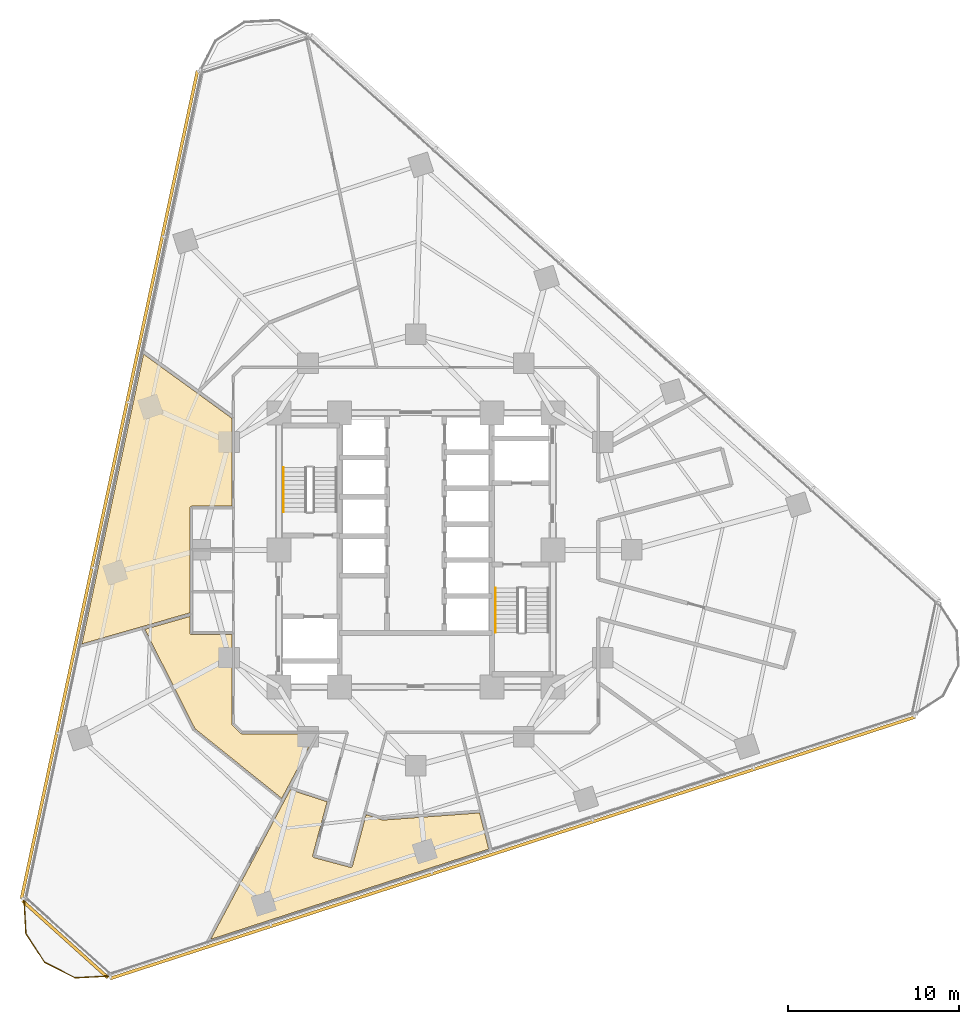
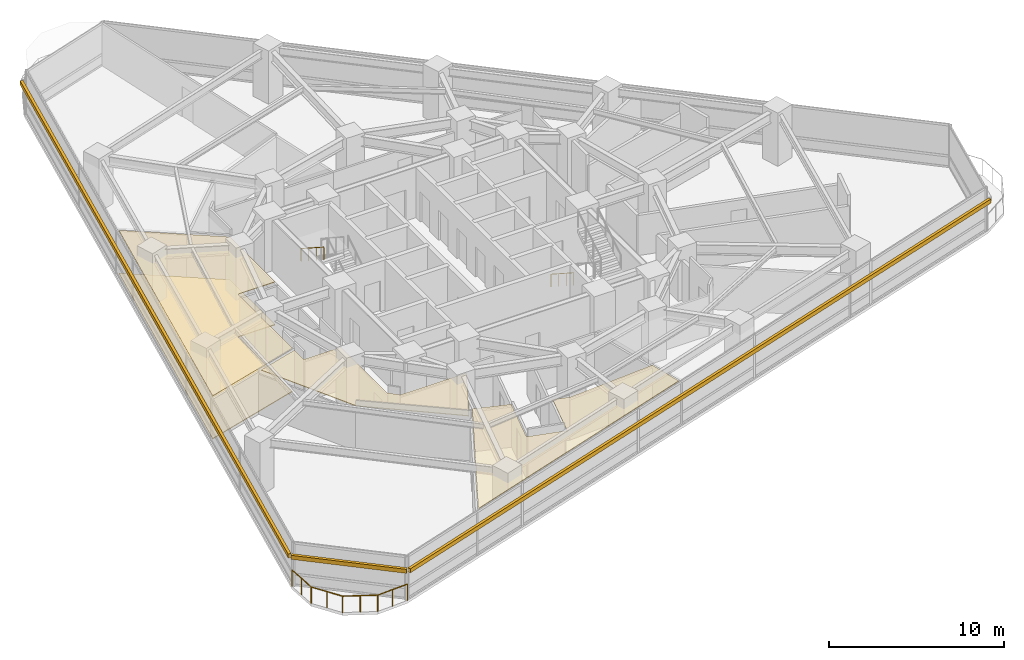
# One storey, part 11 of 13: 4 coverings, 3 railings, 3 shading devices.
"""IFC4 building model written with IfcOpenShell, lengths in metres."""

from ifc_helpers import new_model, si_unit, direction, frame, origin, origin_2d, place, context, subcontext, project, spatial, polyline, rectangle, circle, outline, extrude, material, layer, layer_set, type_object, element, save


model = new_model("IFC4")

# Units and contexts
model_context = context("Model", 3, precision=1e-05, world=origin(), true_north=direction((0.0, 1.0)))
body_context = subcontext(model_context, "Body", "Model", "MODEL_VIEW")
ifc_project = project(units=[si_unit("LENGTHUNIT", "METRE"), si_unit("AREAUNIT", "SQUARE_METRE"), si_unit("VOLUMEUNIT", "CUBIC_METRE"), si_unit("PLANEANGLEUNIT", "RADIAN"), si_unit("MASSUNIT", "GRAM", prefix="KILO")], contexts=[model_context])

# Site, building, storey
site_placement = place(None, origin())
site = spatial("IfcSite", under=ifc_project, at=site_placement, CompositionType="ELEMENT")
building_placement = place(site_placement, origin())
building = spatial("IfcBuilding", under=site, at=building_placement, Name="Terralouvre Media Tower", CompositionType="ELEMENT")
storey_placement = place(building_placement, frame((0.0, 0.0, 94.0)))
storey = spatial("IfcBuildingStorey", under=building, at=storey_placement, Name="L23", CompositionType="ELEMENT", Elevation=94.0)

# Coverings
ifc_material_1 = material(Name="Resilient elastomer acoustic broadcast studio flooring")
ifc_layer_1 = layer(ifc_material_1, 0.050048828125, Name="Broadcast Studio Acoustic Floating Floor FL-AC1")
ifc_layer_set_1 = layer_set([ifc_layer_1], Name="Resilient elastomer acoustic broadcast studio flooring")
covering_type_1 = type_object("IfcCoveringType", Name="Broadcast Studio Acoustic Floating Floor FL-AC1", PredefinedType="FLOORING", material=ifc_layer_set_1)
covering_1_placement = place(storey_placement, frame((0.0, 0.0, 0.0), z_axis=(0.0, 0.0, 1.0), x_axis=(0.951056516295, 0.309016994375, 0.0)))
element("IfcCovering", 1, at=covering_1_placement, inside=storey, type_object=covering_type_1, Name="L23 Documentary Archive Library 11 Acoustic Floating Floor", PredefinedType="FLOORING", context=body_context, shape_type="SweptSolid", body=[
    extrude(outline(polyline([(-13.69140625, 0.578369140625), (-11.796875, 6.4091796875), (-11.79345703125, 6.418212890625), (-11.7890625, 6.427001953125), (-11.78369140625, 6.435302734375), (-11.77783203125, 6.443115234375), (-11.77099609375, 6.4501953125), (-11.763671875, 6.456787109375), (-11.755615234375, 6.46240234375), (-11.7470703125, 6.46728515625), (-11.738037109375, 6.471435546875), (-11.72900390625, 6.474365234375), (-11.71923828125, 6.4765625), (-11.709716796875, 6.47802734375), (-11.69970703125, 6.478271484375), (-11.68994140625, 6.4775390625), (-11.680419921875, 6.475830078125), (-11.6708984375, 6.473388671875), (-9.435791015625, 5.7470703125), (-7.848388671875, 10.6328125), (-9.323486328125, 12.661865234375), (-11.592529296875, 15.785400390625), (-20.23974609375, 0.806884765625), (-16.597900390625, 0.679443359375), (-13.69140625, 0.578369140625)])), origin(), (0.0, 0.0, 1.0), 0.050048828125),
])
ifc_material_2 = material(Name="Perforated aluminium acoustic ceiling baffle", Category="aluminium")
ifc_layer_2 = layer(ifc_material_2, 0.0400390625, Name="Perforated Acoustic Metal Tile Ceiling CL-AC1")
ifc_layer_set_2 = layer_set([ifc_layer_2], Name="Perforated aluminium acoustic ceiling baffle")
covering_type_2 = type_object("IfcCoveringType", Name="Perforated Acoustic Metal Tile Ceiling CL-AC1", PredefinedType="CEILING", material=ifc_layer_set_2)
covering_2_placement = place(storey_placement, frame((0.0, 0.0, 2.97998046875), z_axis=(0.0, 0.0, 1.0), x_axis=(0.951056516295, 0.309016994375, 0.0)))
element("IfcCovering", 2, at=covering_2_placement, inside=storey, type_object=covering_type_2, Name="L23 Grading Client Lounge 3 Acoustic Ceiling", PredefinedType="CEILING", context=body_context, shape_type="SweptSolid", body=[
    extrude(outline(polyline([(-6.701416015625, -14.41650390625), (-6.7109375, -14.41357421875), (-6.719970703125, -14.409912109375), (-6.728515625, -14.4052734375), (-6.73681640625, -14.39990234375), (-7.5390625, -13.8125), (-9.232421875, -16.420654296875), (-9.23828125, -16.428466796875), (-9.24462890625, -16.435791015625), (-9.251953125, -16.442626953125), (-9.259765625, -16.448486328125), (-9.26806640625, -16.45361328125), (-9.27685546875, -16.4580078125), (-9.2861328125, -16.46142578125), (-9.295654296875, -16.4638671875), (-9.30517578125, -16.465576171875), (-9.31494140625, -16.466064453125), (-9.324951171875, -16.4658203125), (-9.33447265625, -16.46435546875), (-9.343994140625, -16.462158203125), (-9.353515625, -16.458984375), (-9.3623046875, -16.454833984375), (-9.370849609375, -16.449951171875), (-11.216064453125, -15.252197265625), (-11.223876953125, -15.246337890625), (-11.231201171875, -15.239990234375), (-11.238037109375, -15.232666015625), (-11.243896484375, -15.224853515625), (-11.2490234375, -15.216552734375), (-11.25341796875, -15.207763671875), (-11.2568359375, -15.198486328125), (-11.25927734375, -15.18896484375), (-11.260986328125, -15.179443359375), (-11.261474609375, -15.169677734375), (-11.26123046875, -15.15966796875), (-11.259765625, -15.150146484375), (-11.257568359375, -15.140625), (-11.25439453125, -15.13134765625), (-11.25048828125, -15.122314453125), (-11.245361328125, -15.11376953125), (-9.4775390625, -12.39013671875), (-11.302001953125, -11.052734375), (-11.880126953125, -11.611083984375), (-18.42578125, -17.93212890625), (-1.354248046875, -17.931884765625), (-1.2021484375, -15.761962890625), (-6.701416015625, -14.41650390625)])), origin(), (0.0, 0.0, 1.0), 0.0400390625),
])
covering_3_placement = place(storey_placement, frame((0.0, 0.0, 2.97998046875), z_axis=(0.0, 0.0, 1.0), x_axis=(0.951056516295, 0.309016994375, 0.0)))
element("IfcCovering", 3, at=covering_3_placement, inside=storey, type_object=covering_type_2, Name="L23 Storyboarding Conference Room 5 Acoustic Ceiling", PredefinedType="CEILING", context=body_context, shape_type="SweptSolid", body=[
    extrude(outline(polyline([(-13.99755859375, -0.656005859375), (-14.00634765625, -0.65185546875), (-14.0146484375, -0.646484375), (-14.0224609375, -0.640625), (-14.029541015625, -0.6337890625), (-14.0361328125, -0.62646484375), (-14.041748046875, -0.618408203125), (-14.046630859375, -0.60986328125), (-14.05078125, -0.600830078125), (-14.0537109375, -0.591796875), (-14.055908203125, -0.58203125), (-14.057373046875, -0.572265625), (-14.0576171875, -0.5625), (-14.056884765625, -0.552734375), (-14.05517578125, -0.54296875), (-14.052734375, -0.53369140625), (-13.755615234375, 0.380615234375), (-16.484130859375, 0.475341796875), (-15.4951171875, -5.948486328125), (-11.93212890625, -11.38330078125), (-11.380126953125, -10.850341796875), (-8.865966796875, -8.42236328125), (-12.97509765625, -7.08740234375), (-12.984375, -7.083740234375), (-12.9931640625, -7.07958984375), (-13.00146484375, -7.07421875), (-13.00927734375, -7.068359375), (-13.016357421875, -7.0615234375), (-13.022705078125, -7.05419921875), (-13.0283203125, -7.046142578125), (-13.033447265625, -7.03759765625), (-13.354248046875, -6.407470703125), (-13.3583984375, -6.398681640625), (-13.361572265625, -6.389404296875), (-13.36376953125, -6.379638671875), (-13.364990234375, -6.3701171875), (-13.365234375, -6.360107421875), (-13.364501953125, -6.350341796875), (-13.363037109375, -6.3408203125), (-13.3603515625, -6.331298828125), (-11.75341796875, -1.3857421875), (-13.988525390625, -0.65966796875), (-13.99755859375, -0.656005859375)])), origin(), (0.0, 0.0, 1.0), 0.0400390625),
])
covering_4_placement = place(storey_placement, frame((0.0, 0.0, 2.97998046875), z_axis=(0.0, 0.0, 1.0), x_axis=(0.951056516295, 0.309016994375, 0.0)))
element("IfcCovering", 4, at=covering_4_placement, inside=storey, type_object=covering_type_2, Name="L23 Documentary Archive Library 11 Acoustic Ceiling", PredefinedType="CEILING", context=body_context, shape_type="SweptSolid", body=[
    extrude(outline(polyline([(-13.69140625, 0.578369140625), (-11.796875, 6.4091796875), (-11.79345703125, 6.418212890625), (-11.7890625, 6.427001953125), (-11.78369140625, 6.435302734375), (-11.77783203125, 6.443115234375), (-11.77099609375, 6.4501953125), (-11.763671875, 6.456787109375), (-11.755615234375, 6.46240234375), (-11.7470703125, 6.46728515625), (-11.738037109375, 6.471435546875), (-11.72900390625, 6.474365234375), (-11.71923828125, 6.4765625), (-11.709716796875, 6.47802734375), (-11.69970703125, 6.478271484375), (-11.68994140625, 6.4775390625), (-11.680419921875, 6.475830078125), (-11.6708984375, 6.473388671875), (-9.435791015625, 5.7470703125), (-7.848388671875, 10.6328125), (-9.323486328125, 12.661865234375), (-11.592529296875, 15.785400390625), (-20.23974609375, 0.806884765625), (-16.597900390625, 0.679443359375), (-13.69140625, 0.578369140625)])), origin(), (0.0, 0.0, 1.0), 0.0400390625),
])

# Railings
ifc_material_3 = material(Name="Stainless steel 316 handrail and balustrade", Category="steel")
ifc_layer_3 = layer(ifc_material_3, 0.06005859375, Name="Roof Edge Safety Guardrail GR-ROOF1")
ifc_layer_set_3 = layer_set([ifc_layer_3], Name="Stainless steel 316 handrail and balustrade")
railing_type_1 = type_object("IfcRailingType", Name="Roof Edge Safety Guardrail GR-ROOF1", PredefinedType="GUARDRAIL", material=ifc_layer_set_3)
railing_placement = place(storey_placement, frame((-22.8837890625, -20.395751953125, 0.0)))
element("IfcRailing", 5, at=railing_placement, inside=storey, type_object=railing_type_1, Name="L23 Wind-Corner Perimeter Safety Guardrail C0", PredefinedType="GUARDRAIL", context=body_context, shape_type="SweptSolid", body=[
    extrude(circle(Radius=0.02099609375, at=origin_2d()), frame((0.0, 0.0, 1.12890625), z_axis=(0.05204188706, -0.998644902851, 0.0), x_axis=(0.998644902851, 0.05204188706, 0.0)), (0.0, 0.0, 1.0), 2.0078125),
    extrude(circle(Radius=0.02099609375, at=origin_2d()), frame((0.1044921875, -2.005126953125, 1.12890625), z_axis=(0.544556562485, -0.838724120468, 0.0), x_axis=(0.838724120468, 0.544556562485, 0.0)), (0.0, 0.0, 1.0), 2.007568359375),
    extrude(circle(Radius=0.02099609375, at=origin_2d()), frame((1.19775390625, -3.68896484375, 1.12890625), z_axis=(0.891070121909, -0.453865660566, 0.0), x_axis=(0.453865660566, 0.891070121909, 0.0)), (0.0, 0.0, 1.0), 2.007568359375),
    extrude(circle(Radius=0.02099609375, at=origin_2d()), frame((2.986572265625, -4.60009765625, 1.12890625), z_axis=(0.998619508244, 0.052526924091, 0.0), x_axis=(-0.052526924091, 0.998619508244, 0.0)), (0.0, 0.0, 1.0), 2.0078125),
    extrude(circle(Radius=0.01904296875, at=origin_2d()), origin(), (0.0, 0.0, 1.0), 1.10791015625),
    extrude(circle(Radius=0.01904296875, at=origin_2d()), frame((0.05224609375, -1.00244140625, 0.0)), (0.0, 0.0, 1.0), 1.10791015625),
    extrude(circle(Radius=0.01904296875, at=origin_2d()), frame((0.1044921875, -2.005126953125, 0.0)), (0.0, 0.0, 1.0), 1.10791015625),
    extrude(circle(Radius=0.01904296875, at=origin_2d()), frame((0.651123046875, -2.84716796875, 0.0)), (0.0, 0.0, 1.0), 1.10791015625),
    extrude(circle(Radius=0.01904296875, at=origin_2d()), frame((1.19775390625, -3.68896484375, 0.0)), (0.0, 0.0, 1.0), 1.10791015625),
    extrude(circle(Radius=0.01904296875, at=origin_2d()), frame((2.09228515625, -4.14453125, 0.0)), (0.0, 0.0, 1.0), 1.10791015625),
    extrude(circle(Radius=0.01904296875, at=origin_2d()), frame((2.986572265625, -4.60009765625, 0.0)), (0.0, 0.0, 1.0), 1.10791015625),
    extrude(circle(Radius=0.01904296875, at=origin_2d()), frame((3.9892578125, -4.54736328125, 0.0)), (0.0, 0.0, 1.0), 1.10791015625),
    extrude(circle(Radius=0.01904296875, at=origin_2d()), frame((4.99169921875, -4.49462890625, 0.0)), (0.0, 0.0, 1.0), 1.10791015625),
])
ifc_material_4 = material(Name="Stainless steel 316 handrail and balustrade", Category="steel")
ifc_layer_4 = layer(ifc_material_4, 0.050048828125, Name="Stair Flight Wall Handrail HR-INT1")
ifc_layer_set_4 = layer_set([ifc_layer_4], Name="Stainless steel 316 handrail and balustrade")
railing_type_2 = type_object("IfcRailingType", Name="Stair Flight Wall Handrail HR-INT1", PredefinedType="HANDRAIL", material=ifc_layer_set_4)
for number, where, name in (
    (6, (-7.72998046875, 4.820068359375, 2.01806640625), "L23 ST-01 stair handrail 2"),
    (7, (4.64990234375, -2.219970703125, 0.168212890625), "L23 ST-02 stair handrail 1"),
):
    element("IfcRailing", number, at=place(storey_placement, frame(where)), inside=storey, type_object=railing_type_2, Name=name, PredefinedType="HANDRAIL", context=body_context, shape_type="SweptSolid", body=[
        extrude(circle(Radius=0.02392578125, at=origin_2d()), frame((0.0, 0.0, 0.8759765625), z_axis=(0.0, -0.839648411786, 0.543130320075), x_axis=(1.0, 0.0, 0.0)), (0.0, 0.0, 1.0), 3.0966796875),
        extrude(circle(Radius=0.02099609375, at=origin_2d()), origin(), (0.0, 0.0, 1.0), 0.851806640625),
        extrude(circle(Radius=0.02099609375, at=origin_2d()), frame((0.0, -0.86669921875, 0.560546875)), (0.0, 0.0, 1.0), 0.851806640625),
        extrude(circle(Radius=0.02099609375, at=origin_2d()), frame((0.0, -1.7333984375, 1.121337890625)), (0.0, 0.0, 1.0), 0.851806640625),
        extrude(circle(Radius=0.02099609375, at=origin_2d()), frame((0.0, -2.60009765625, 1.681884765625)), (0.0, 0.0, 1.0), 0.851806640625),
    ])

# Shading devices
ifc_material_5 = material(Name="Extruded terracotta baguette sunshade louvres", Category="masonry")
shading_device_type = type_object("IfcShadingDeviceType", Name="Terracotta Baguette Sunshade Louvre Screen TB-LV1", PredefinedType="USERDEFINED", material=ifc_material_5)
for number, where, z_axis, x_axis, name in (
    (8, (5.652587890625, -17.396728515625, 2.02392578125), (0.0, 0.0, 1.0), (0.951056509451, 0.309017015439, 0.0), "CW-L23-F0 Terracotta Baguette Sunshade Louvre"),
    (9, (-17.892333984375, 3.80322265625, 2.02392578125), (0.0, 0.0, 1.0), (-0.207911643887, -0.978147610709, 0.0), "CW-L23-F2 Terracotta Baguette Sunshade Louvre"),
):
    element("IfcShadingDevice", number, at=place(storey_placement, frame(where, z_axis=z_axis, x_axis=x_axis)), inside=storey, type_object=shading_device_type, Name=name, ObjectType="BAGUETTE", PredefinedType="USERDEFINED", context=body_context, shape_type="SweptSolid", body=[
        extrude(rectangle(XDim=49.43994140625, YDim=0.179931640625, at=origin_2d()), origin(), (0.0, 0.0, 1.0), 0.280029296875),
    ])
shading_device_placement = place(storey_placement, frame((-20.478271484375, -22.743408203125, 2.02392578125), z_axis=(0.0, 0.0, 1.0), x_axis=(0.743144668471, -0.669130780732, 0.0)))
element("IfcShadingDevice", 10, at=shading_device_placement, inside=storey, type_object=shading_device_type, Name="CW-L23-C0 Terracotta Baguette Sunshade Louvre", ObjectType="BAGUETTE", PredefinedType="USERDEFINED", context=body_context, shape_type="SweptSolid", body=[
    extrude(rectangle(XDim=6.720458984375, YDim=0.179931640625, at=origin_2d()), origin(), (0.0, 0.0, 1.0), 0.280029296875),
])

save(model, "model.ifc")
